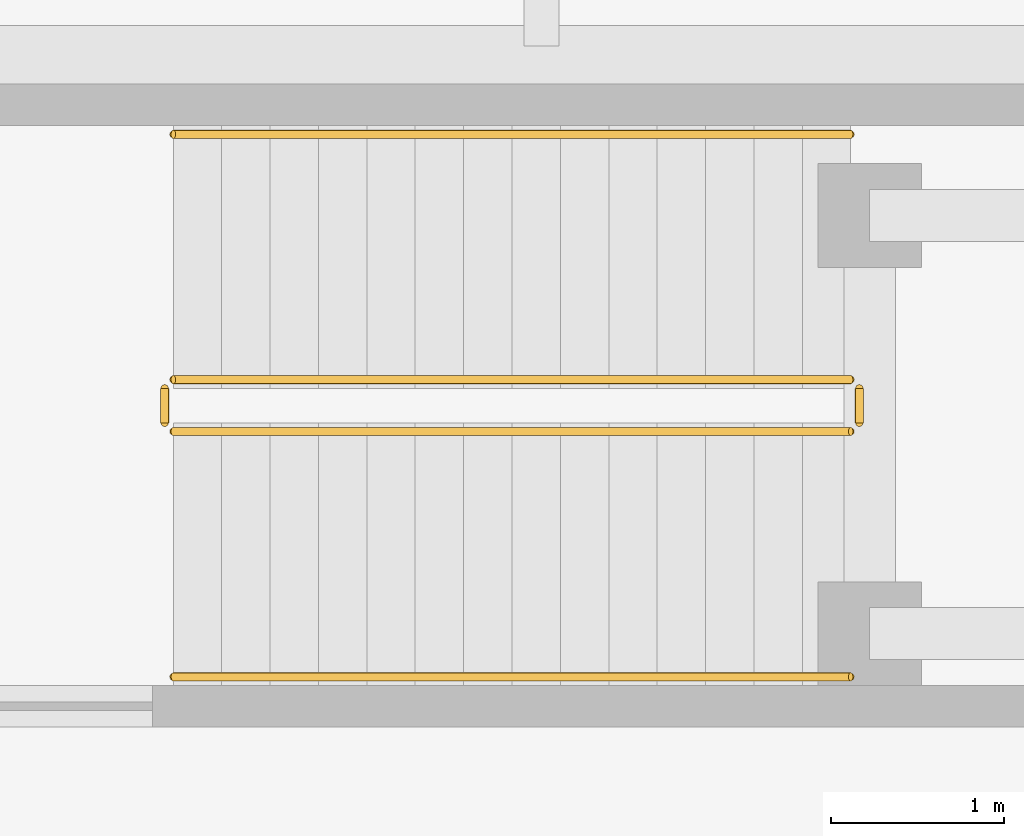
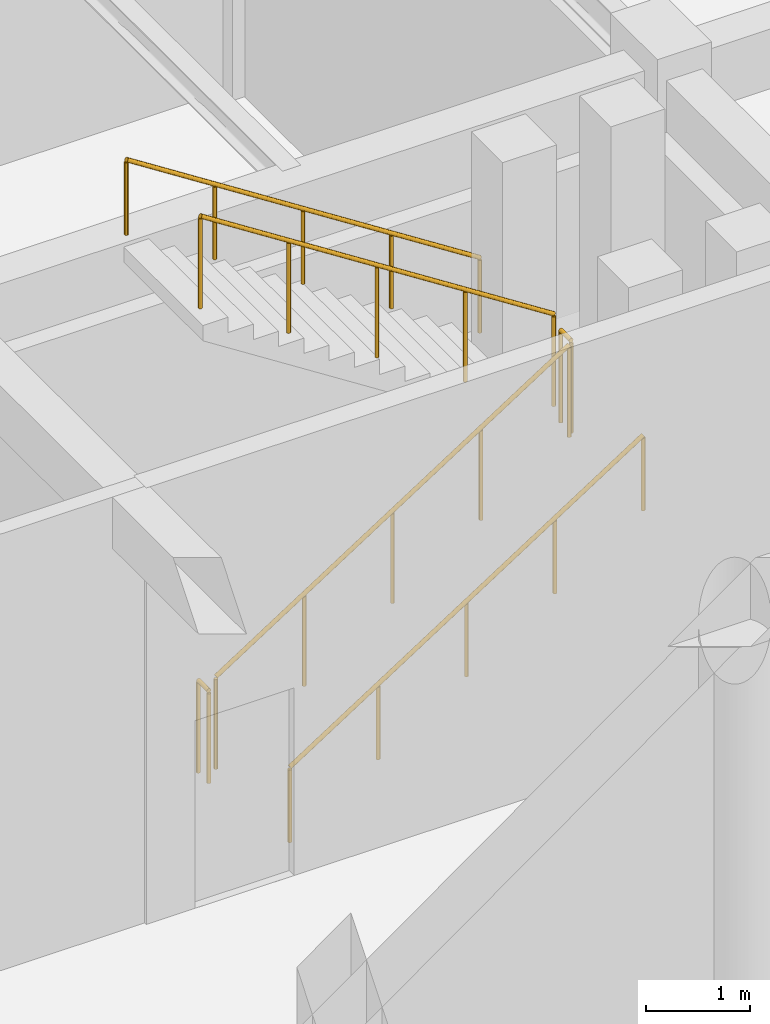
# One storey, part 60 of 62: 6 railings.
"""IFC4 building model written with IfcOpenShell, lengths in metres."""

from ifc_helpers import new_model, si_unit, direction, frame, origin, origin_2d, place, context, subcontext, project, spatial, circle, extrude, material, type_object, element, save


model = new_model("IFC4")

# Units and contexts
model_context = context("Model", 3, precision=1e-05, world=origin(), true_north=direction((0.0, 1.0)))
body_context = subcontext(model_context, "Body", "Model", "MODEL_VIEW")
ifc_project = project(units=[si_unit("LENGTHUNIT", "METRE"), si_unit("AREAUNIT", "SQUARE_METRE"), si_unit("VOLUMEUNIT", "CUBIC_METRE"), si_unit("PLANEANGLEUNIT", "RADIAN"), si_unit("MASSUNIT", "GRAM", prefix="KILO")], contexts=[model_context])

# Site, building, storey
site_placement = place(None, origin())
site = spatial("IfcSite", under=ifc_project, at=site_placement, CompositionType="ELEMENT")
building_placement = place(site_placement, origin())
building = spatial("IfcBuilding", under=site, at=building_placement, Name="Tarnveldt Square Police Headquarters", CompositionType="ELEMENT")
storey_placement = place(building_placement, origin())
storey = spatial("IfcBuildingStorey", under=building, at=storey_placement, Name="L00", CompositionType="ELEMENT", Elevation=0.0)

# Railings
ifc_material = material(Name="Steel 350W", Category="steel")
railing_type_1 = type_object("IfcRailingType", Name="RL-GR-1100", PredefinedType="GUARDRAIL", material=ifc_material)
railing_1_placement = place(storey_placement, frame((131.52001953125, 29.85009765625, 0.179931640625)))
element("IfcRailing", 1, at=railing_1_placement, inside=storey, type_object=railing_type_1, Name="L00 ST7 stair guard 1", PredefinedType="GUARDRAIL", context=body_context, shape_type="SweptSolid", body=[
    extrude(circle(Radius=0.02392578125, at=origin_2d()), frame((0.0, 0.0, 1.076171875), z_axis=(0.841171666519, 0.0, 0.540768182723), x_axis=(0.0, 1.0, 0.0)), (0.0, 0.0, 1.0), 4.66015625),
    extrude(circle(Radius=0.02099609375, at=origin_2d()), origin(), (0.0, 0.0, 1.0), 1.052001953125),
    extrude(circle(Radius=0.02099609375, at=origin_2d()), frame((0.97998046875, 0.0, 0.6298828125)), (0.0, 0.0, 1.0), 1.052001953125),
    extrude(circle(Radius=0.02099609375, at=origin_2d()), frame((1.9599609375, 0.0, 1.260009765625)), (0.0, 0.0, 1.0), 1.052001953125),
    extrude(circle(Radius=0.02099609375, at=origin_2d()), frame((2.93994140625, 0.0, 1.89013671875)), (0.0, 0.0, 1.0), 1.052001953125),
    extrude(circle(Radius=0.02099609375, at=origin_2d()), frame((3.919921875, 0.0, 2.52001953125)), (0.0, 0.0, 1.0), 1.052001953125),
])
railing_2_placement = place(storey_placement, frame((135.489990234375, 29.89990234375, 2.699951171875)))
element("IfcRailing", 2, at=railing_2_placement, inside=storey, type_object=railing_type_1, Name="L00 ST7 stair guard 2", PredefinedType="GUARDRAIL", context=body_context, shape_type="SweptSolid", body=[
    extrude(circle(Radius=0.02392578125, at=origin_2d()), frame((0.0, 0.0, 1.076171875), z_axis=(0.0, 1.0, 0.0), x_axis=(-1.0, 0.0, 0.0)), (0.0, 0.0, 1.0), 0.2001953125),
    extrude(circle(Radius=0.02099609375, at=origin_2d()), origin(), (0.0, 0.0, 1.0), 1.052001953125),
    extrude(circle(Radius=0.02099609375, at=origin_2d()), frame((0.0, 0.2001953125, 0.0)), (0.0, 0.0, 1.0), 1.052001953125),
])
railing_3_placement = place(storey_placement, frame((135.43994140625, 30.14990234375, 2.8798828125)))
element("IfcRailing", 3, at=railing_3_placement, inside=storey, type_object=railing_type_1, Name="L00 ST7 stair guard 3", PredefinedType="GUARDRAIL", context=body_context, shape_type="SweptSolid", body=[
    extrude(circle(Radius=0.02392578125, at=origin_2d()), frame((0.0, 0.0, 1.076171875), z_axis=(-0.841171666519, 0.0, 0.540768182723), x_axis=(0.0, -1.0, 0.0)), (0.0, 0.0, 1.0), 4.66015625),
    extrude(circle(Radius=0.02099609375, at=origin_2d()), origin(), (0.0, 0.0, 1.0), 1.052001953125),
    extrude(circle(Radius=0.02099609375, at=origin_2d()), frame((-0.97998046875, 0.0, 0.6298828125)), (0.0, 0.0, 1.0), 1.052001953125),
    extrude(circle(Radius=0.02099609375, at=origin_2d()), frame((-1.9599609375, 0.0, 1.260009765625)), (0.0, 0.0, 1.0), 1.052001953125),
    extrude(circle(Radius=0.02099609375, at=origin_2d()), frame((-2.93994140625, 0.0, 1.89013671875)), (0.0, 0.0, 1.0), 1.052001953125),
    extrude(circle(Radius=0.02099609375, at=origin_2d()), frame((-3.919921875, 0.0, 2.52001953125)), (0.0, 0.0, 1.0), 1.052001953125),
])
railing_4_placement = place(storey_placement, frame((131.469970703125, 29.89990234375, 0.0)))
element("IfcRailing", 4, at=railing_4_placement, inside=storey, type_object=railing_type_1, Name="L00 ST7 stair guard 4", PredefinedType="GUARDRAIL", context=body_context, shape_type="SweptSolid", body=[
    extrude(circle(Radius=0.02392578125, at=origin_2d()), frame((0.0, 0.0, 1.076171875), z_axis=(0.0, 1.0, 0.0), x_axis=(-1.0, 0.0, 0.0)), (0.0, 0.0, 1.0), 0.2001953125),
    extrude(circle(Radius=0.02099609375, at=origin_2d()), origin(), (0.0, 0.0, 1.0), 1.052001953125),
    extrude(circle(Radius=0.02099609375, at=origin_2d()), frame((0.0, 0.2001953125, 0.0)), (0.0, 0.0, 1.0), 1.052001953125),
])
railing_type_2 = type_object("IfcRailingType", Name="RL-HR-900", PredefinedType="HANDRAIL", material=ifc_material)
railing_5_placement = place(storey_placement, frame((131.52001953125, 28.429931640625, 0.179931640625)))
element("IfcRailing", 5, at=railing_5_placement, inside=storey, type_object=railing_type_2, Name="L00 ST7 stair handrail 1", PredefinedType="HANDRAIL", context=body_context, shape_type="SweptSolid", body=[
    extrude(circle(Radius=0.02392578125, at=origin_2d()), frame((0.0, 0.0, 0.8759765625), z_axis=(0.841171666519, 0.0, 0.540768182723), x_axis=(0.0, 1.0, 0.0)), (0.0, 0.0, 1.0), 4.66015625),
    extrude(circle(Radius=0.02099609375, at=origin_2d()), origin(), (0.0, 0.0, 1.0), 0.851806640625),
    extrude(circle(Radius=0.02099609375, at=origin_2d()), frame((0.97998046875, 0.0, 0.6298828125)), (0.0, 0.0, 1.0), 0.851806640625),
    extrude(circle(Radius=0.02099609375, at=origin_2d()), frame((1.9599609375, 0.0, 1.260009765625)), (0.0, 0.0, 1.0), 0.851806640625),
    extrude(circle(Radius=0.02099609375, at=origin_2d()), frame((2.93994140625, 0.0, 1.89013671875)), (0.0, 0.0, 1.0), 0.851806640625),
    extrude(circle(Radius=0.02099609375, at=origin_2d()), frame((3.919921875, 0.0, 2.52001953125)), (0.0, 0.0, 1.0), 0.851806640625),
])
railing_6_placement = place(storey_placement, frame((135.43994140625, 31.570068359375, 2.8798828125)))
element("IfcRailing", 6, at=railing_6_placement, inside=storey, type_object=railing_type_2, Name="L00 ST7 stair handrail 2", PredefinedType="HANDRAIL", context=body_context, shape_type="SweptSolid", body=[
    extrude(circle(Radius=0.02392578125, at=origin_2d()), frame((0.0, 0.0, 0.8759765625), z_axis=(-0.841171666519, 0.0, 0.540768182723), x_axis=(0.0, -1.0, 0.0)), (0.0, 0.0, 1.0), 4.66015625),
    extrude(circle(Radius=0.02099609375, at=origin_2d()), origin(), (0.0, 0.0, 1.0), 0.851806640625),
    extrude(circle(Radius=0.02099609375, at=origin_2d()), frame((-0.97998046875, 0.0, 0.6298828125)), (0.0, 0.0, 1.0), 0.851806640625),
    extrude(circle(Radius=0.02099609375, at=origin_2d()), frame((-1.9599609375, 0.0, 1.260009765625)), (0.0, 0.0, 1.0), 0.851806640625),
    extrude(circle(Radius=0.02099609375, at=origin_2d()), frame((-2.93994140625, 0.0, 1.89013671875)), (0.0, 0.0, 1.0), 0.851806640625),
    extrude(circle(Radius=0.02099609375, at=origin_2d()), frame((-3.919921875, 0.0, 2.52001953125)), (0.0, 0.0, 1.0), 0.851806640625),
])

save(model, "model.ifc")
